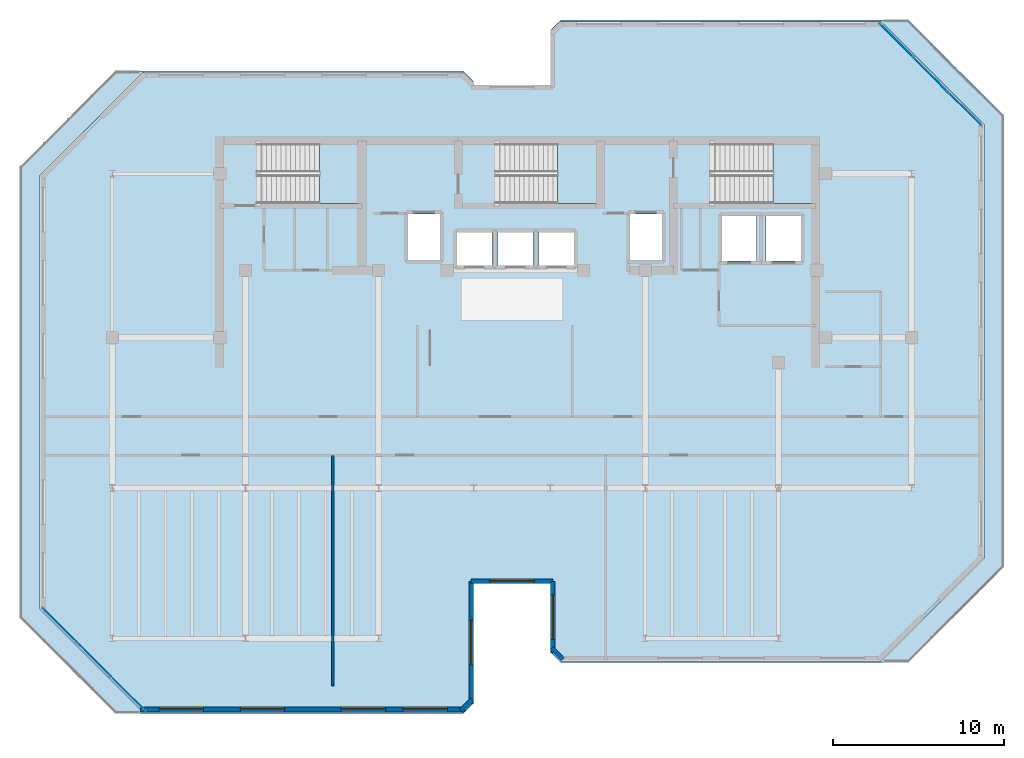
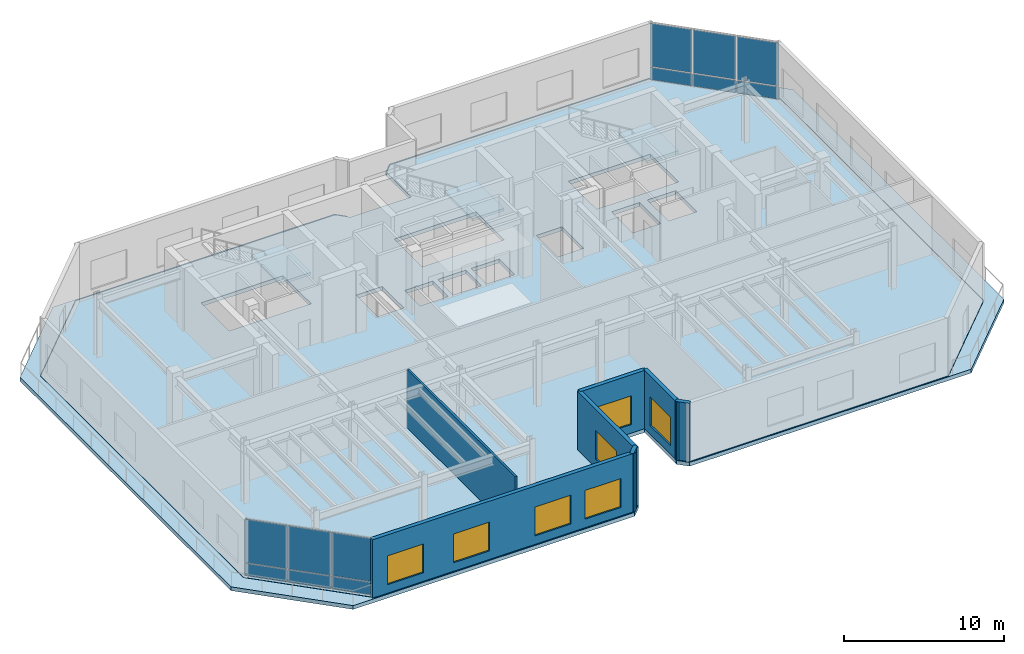
# One storey, part 5 of 12: 12 plates, 7 walls, 7 windows, 6 slabs, 7 openings, 5 elements without a shape of their own.
"""IFC4 building model written with IfcOpenShell, lengths in metres."""

from ifc_helpers import new_model, si_unit, direction, frame, frame_2d, origin, origin_2d, place, context, subcontext, project, spatial, polyline, rectangle, outline, extrude, material, layer, layer_set, type_object, element, fill, aggregate, save


model = new_model("IFC4")

# Units and contexts
model_context = context("Model", 3, precision=1e-05, world=origin(), true_north=direction((0.0, 1.0)))
body_context = subcontext(model_context, "Body", "Model", "MODEL_VIEW")
ifc_project = project(units=[si_unit("LENGTHUNIT", "METRE"), si_unit("AREAUNIT", "SQUARE_METRE"), si_unit("VOLUMEUNIT", "CUBIC_METRE"), si_unit("PLANEANGLEUNIT", "RADIAN"), si_unit("MASSUNIT", "GRAM", prefix="KILO")], contexts=[model_context])

# Site, building, storey
site_placement = place(None, origin())
site = spatial("IfcSite", under=ifc_project, at=site_placement, CompositionType="ELEMENT")
building_placement = place(site_placement, origin())
building = spatial("IfcBuilding", under=site, at=building_placement, Name="Kestravale Grand Hotel", CompositionType="ELEMENT")
storey_placement = place(building_placement, frame((0.0, 0.0, 306.60009765625)))
storey = spatial("IfcBuildingStorey", under=building, at=storey_placement, Name="L76", CompositionType="ELEMENT", Elevation=306.60009765625)

# Curtain wall, plates
ifc_material_1 = material(Name="Thermally broken champagne-bronze aluminium and low-E glazing", Category="aluminium")
ifc_layer_1 = layer(ifc_material_1, 0.239990234375)
ifc_layer_set_1 = layer_set([ifc_layer_1], Name="CW-OBS")
curtain_wall_type = type_object("IfcCurtainWallType", Name="CW-OBS", PredefinedType="NOTDEFINED", material=ifc_layer_set_1)
curtain_wall_1_placement = place(storey_placement, origin())
curtain_wall_1 = element("IfcCurtainWall", 1, at=curtain_wall_1_placement, inside=storey, type_object=curtain_wall_type, Name="L76 unitised curtain wall 10", PredefinedType="NOTDEFINED")
ifc_material_2 = material(Name="Insulated clear low-E double glazing IGU", Category="glass")
ifc_layer_2 = layer(ifc_material_2, 0.0400390625)
ifc_layer_set_2 = layer_set([ifc_layer_2], Name="CW-PNL-40")
plate_type = type_object("IfcPlateType", Name="CW-PNL-40", PredefinedType="CURTAIN_PANEL", material=ifc_layer_set_2)
plate_1_placement = place(storey_placement, frame((65.495361328125, 42.20654296875, 0.074951171875), z_axis=(0.0, 0.0, 1.0), x_axis=(-0.707106781187, 0.707106781187, 0.0)))
plate_1 = element("IfcPlate", 2, at=plate_1_placement, type_object=plate_type, Name="CW-OBS panel 1.1", PredefinedType="CURTAIN_PANEL", context=body_context, shape_type="SweptSolid", body=[
    extrude(rectangle(XDim=2.71435546875, YDim=0.0400390625, at=origin_2d()), origin(), (0.0, 0.0, 1.0), 0.9375),
])
plate_2_placement = place(storey_placement, frame((65.495361328125, 42.20654296875, 1.08740234375), z_axis=(0.0, 0.0, 1.0), x_axis=(-0.707106781187, 0.707106781187, 0.0)))
plate_2 = element("IfcPlate", 3, at=plate_2_placement, type_object=plate_type, Name="CW-OBS panel 1.2", PredefinedType="CURTAIN_PANEL", context=body_context, shape_type="SweptSolid", body=[
    extrude(rectangle(XDim=2.71435546875, YDim=0.0400390625, at=origin_2d()), origin(), (0.0, 0.0, 1.0), 3.28759765625),
])
plate_3_placement = place(storey_placement, frame((63.5009765625, 44.200927734375, 0.074951171875), z_axis=(0.0, 0.0, 1.0), x_axis=(-0.707106781187, 0.707106781187, 0.0)))
plate_3 = element("IfcPlate", 4, at=plate_3_placement, type_object=plate_type, Name="CW-OBS panel 2.1", PredefinedType="CURTAIN_PANEL", context=body_context, shape_type="SweptSolid", body=[
    extrude(rectangle(XDim=2.7568359375, YDim=0.0400390625, at=origin_2d()), origin(), (0.0, 0.0, 1.0), 0.9375),
])
plate_4_placement = place(storey_placement, frame((63.5009765625, 44.200927734375, 1.08740234375), z_axis=(0.0, 0.0, 1.0), x_axis=(-0.707106781187, 0.707106781187, 0.0)))
plate_4 = element("IfcPlate", 5, at=plate_4_placement, type_object=plate_type, Name="CW-OBS panel 2.2", PredefinedType="CURTAIN_PANEL", context=body_context, shape_type="SweptSolid", body=[
    extrude(rectangle(XDim=2.7568359375, YDim=0.0400390625, at=origin_2d()), origin(), (0.0, 0.0, 1.0), 3.28759765625),
])
plate_5_placement = place(storey_placement, frame((61.506591796875, 46.195556640625, 0.074951171875), z_axis=(0.0, 0.0, 1.0), x_axis=(-0.707106781187, 0.707106781187, 0.0)))
plate_5 = element("IfcPlate", 6, at=plate_5_placement, type_object=plate_type, Name="CW-OBS panel 3.1", PredefinedType="CURTAIN_PANEL", context=body_context, shape_type="SweptSolid", body=[
    extrude(rectangle(XDim=2.71435546875, YDim=0.0400390625, at=origin_2d()), origin(), (0.0, 0.0, 1.0), 0.9375),
])
plate_6_placement = place(storey_placement, frame((61.506591796875, 46.195556640625, 1.08740234375), z_axis=(0.0, 0.0, 1.0), x_axis=(-0.707106781187, 0.707106781187, 0.0)))
plate_6 = element("IfcPlate", 7, at=plate_6_placement, type_object=plate_type, Name="CW-OBS panel 3.2", PredefinedType="CURTAIN_PANEL", context=body_context, shape_type="SweptSolid", body=[
    extrude(rectangle(XDim=2.71435546875, YDim=0.0400390625, at=origin_2d()), origin(), (0.0, 0.0, 1.0), 3.28759765625),
])
aggregate(curtain_wall_1, [plate_1, plate_2, plate_3, plate_4, plate_5, plate_6])

curtain_wall_2_placement = place(storey_placement, origin())
curtain_wall_2 = element("IfcCurtainWall", 8, at=curtain_wall_2_placement, inside=storey, type_object=curtain_wall_type, Name="L76 unitised curtain wall 20", PredefinedType="NOTDEFINED")
plate_7_placement = place(storey_placement, frame((12.504638671875, 11.993408203125, 0.074951171875), z_axis=(0.0, 0.0, 1.0), x_axis=(0.707106781187, -0.707106781187, 0.0)))
plate_7 = element("IfcPlate", 9, at=plate_7_placement, type_object=plate_type, Name="CW-OBS panel 1.1", PredefinedType="CURTAIN_PANEL", context=body_context, shape_type="SweptSolid", body=[
    extrude(rectangle(XDim=2.71435546875, YDim=0.0400390625, at=origin_2d()), origin(), (0.0, 0.0, 1.0), 0.9375),
])
plate_8_placement = place(storey_placement, frame((12.504638671875, 11.993408203125, 1.08740234375), z_axis=(0.0, 0.0, 1.0), x_axis=(0.707106781187, -0.707106781187, 0.0)))
plate_8 = element("IfcPlate", 10, at=plate_8_placement, type_object=plate_type, Name="CW-OBS panel 1.2", PredefinedType="CURTAIN_PANEL", context=body_context, shape_type="SweptSolid", body=[
    extrude(rectangle(XDim=2.71435546875, YDim=0.0400390625, at=origin_2d()), origin(), (0.0, 0.0, 1.0), 3.28759765625),
])
plate_9_placement = place(storey_placement, frame((14.4990234375, 9.9990234375, 0.074951171875), z_axis=(0.0, 0.0, 1.0), x_axis=(0.707106781187, -0.707106781187, 0.0)))
plate_9 = element("IfcPlate", 11, at=plate_9_placement, type_object=plate_type, Name="CW-OBS panel 2.1", PredefinedType="CURTAIN_PANEL", context=body_context, shape_type="SweptSolid", body=[
    extrude(rectangle(XDim=2.7568359375, YDim=0.0400390625, at=origin_2d()), origin(), (0.0, 0.0, 1.0), 0.9375),
])
plate_10_placement = place(storey_placement, frame((14.4990234375, 9.9990234375, 1.08740234375), z_axis=(0.0, 0.0, 1.0), x_axis=(0.707106781187, -0.707106781187, 0.0)))
plate_10 = element("IfcPlate", 12, at=plate_10_placement, type_object=plate_type, Name="CW-OBS panel 2.2", PredefinedType="CURTAIN_PANEL", context=body_context, shape_type="SweptSolid", body=[
    extrude(rectangle(XDim=2.7568359375, YDim=0.0400390625, at=origin_2d()), origin(), (0.0, 0.0, 1.0), 3.28759765625),
])
plate_11_placement = place(storey_placement, frame((16.493408203125, 8.004638671875, 0.074951171875), z_axis=(0.0, 0.0, 1.0), x_axis=(0.707106781187, -0.707106781187, 0.0)))
plate_11 = element("IfcPlate", 13, at=plate_11_placement, type_object=plate_type, Name="CW-OBS panel 3.1", PredefinedType="CURTAIN_PANEL", context=body_context, shape_type="SweptSolid", body=[
    extrude(rectangle(XDim=2.71435546875, YDim=0.0400390625, at=origin_2d()), origin(), (0.0, 0.0, 1.0), 0.9375),
])
plate_12_placement = place(storey_placement, frame((16.493408203125, 8.004638671875, 1.08740234375), z_axis=(0.0, 0.0, 1.0), x_axis=(0.707106781187, -0.707106781187, 0.0)))
plate_12 = element("IfcPlate", 14, at=plate_12_placement, type_object=plate_type, Name="CW-OBS panel 3.2", PredefinedType="CURTAIN_PANEL", context=body_context, shape_type="SweptSolid", body=[
    extrude(rectangle(XDim=2.71435546875, YDim=0.0400390625, at=origin_2d()), origin(), (0.0, 0.0, 1.0), 3.28759765625),
])
aggregate(curtain_wall_2, [plate_7, plate_8, plate_9, plate_10, plate_11, plate_12])

# Slabs
ifc_material_3 = material(Name="Concrete f'c 45 MPa", Category="concrete")
ifc_layer_3 = layer(ifc_material_3, 0.2900390625)
ifc_layer_set_3 = layer_set([ifc_layer_3], Name="ES-TERR-290")
slab_type_1 = type_object("IfcSlabType", Name="ES-TERR-290", PredefinedType="ROOF", material=ifc_layer_set_3)
slab_1_placement = place(storey_placement, frame((0.0, 0.0, -0.2900390625)))
element("IfcSlab", 15, at=slab_1_placement, inside=storey, type_object=slab_type_1, Name="L76 setback terrace 1", PredefinedType="ROOF", context=body_context, shape_type="SweptSolid", body=[
    extrude(outline(polyline([(36.75, 7.39990234375), (36.14990234375, 6.800048828125), (15.800048828125, 6.800048828125), (10.199951171875, 12.39990234375), (10.199951171875, 38.800048828125), (15.800048828125, 44.39990234375), (36.14990234375, 44.39990234375), (36.75, 43.800048828125), (36.75, 43.728271484375), (36.1640625, 44.314208984375), (36.16259765625, 44.3154296875), (36.1611328125, 44.316650390625), (36.159423828125, 44.317626953125), (36.15771484375, 44.318603515625), (36.15576171875, 44.319091796875), (36.15380859375, 44.319580078125), (36.152099609375, 44.31982421875), (36.14990234375, 44.320068359375), (17.39990234375, 44.320068359375), (17.39794921875, 44.31982421875), (17.39599609375, 44.319580078125), (17.394287109375, 44.319091796875), (17.392333984375, 44.318603515625), (17.390625, 44.317626953125), (17.388916015625, 44.316650390625), (17.38720703125, 44.3154296875), (17.385986328125, 44.314208984375), (11.385986328125, 38.314208984375), (11.384521484375, 38.312744140625), (11.38330078125, 38.31103515625), (11.38232421875, 38.309326171875), (11.381591796875, 38.3076171875), (11.380859375, 38.305908203125), (11.38037109375, 38.303955078125), (11.380126953125, 38.302001953125), (11.3798828125, 38.300048828125), (11.3798828125, 12.89990234375), (11.380126953125, 12.89794921875), (11.38037109375, 12.89599609375), (11.380859375, 12.894287109375), (11.381591796875, 12.892333984375), (11.38232421875, 12.890625), (11.38330078125, 12.888916015625), (11.384521484375, 12.88720703125), (11.385986328125, 12.885986328125), (17.385986328125, 6.885986328125), (17.38720703125, 6.884521484375), (17.388916015625, 6.88330078125), (17.390625, 6.88232421875), (17.392333984375, 6.881591796875), (17.394287109375, 6.880859375), (17.39599609375, 6.88037109375), (17.39794921875, 6.880126953125), (17.39990234375, 6.8798828125), (36.14990234375, 6.8798828125), (36.152099609375, 6.880126953125), (36.15380859375, 6.88037109375), (36.15576171875, 6.880859375), (36.15771484375, 6.881591796875), (36.159423828125, 6.88232421875), (36.1611328125, 6.88330078125), (36.16259765625, 6.884521484375), (36.1640625, 6.885986328125), (36.75, 7.4716796875), (36.75, 7.39990234375)])), origin(), (0.0, 0.0, 1.0), 0.2900390625),
])
slab_2_placement = place(storey_placement, frame((0.0, 0.0, -0.2900390625)))
element("IfcSlab", 16, at=slab_2_placement, inside=storey, type_object=slab_type_1, Name="L76 setback terrace 2", PredefinedType="ROOF", context=body_context, shape_type="SweptSolid", body=[
    extrude(outline(polyline([(41.25, 46.800048828125), (41.85009765625, 47.39990234375), (62.199951171875, 47.39990234375), (67.800048828125, 41.800048828125), (67.800048828125, 15.39990234375), (62.199951171875, 9.800048828125), (41.85009765625, 9.800048828125), (41.25, 10.39990234375), (41.25, 10.4716796875), (41.8359375, 9.885986328125), (41.83740234375, 9.884521484375), (41.8388671875, 9.88330078125), (41.840576171875, 9.88232421875), (41.84228515625, 9.881591796875), (41.84423828125, 9.880859375), (41.84619140625, 9.88037109375), (41.847900390625, 9.880126953125), (41.85009765625, 9.8798828125), (60.60009765625, 9.8798828125), (60.60205078125, 9.880126953125), (60.60400390625, 9.88037109375), (60.605712890625, 9.880859375), (60.607666015625, 9.881591796875), (60.609375, 9.88232421875), (60.611083984375, 9.88330078125), (60.61279296875, 9.884521484375), (60.614013671875, 9.885986328125), (66.614013671875, 15.885986328125), (66.615478515625, 15.88720703125), (66.61669921875, 15.888916015625), (66.61767578125, 15.890625), (66.618408203125, 15.892333984375), (66.619140625, 15.894287109375), (66.61962890625, 15.89599609375), (66.619873046875, 15.89794921875), (66.6201171875, 15.89990234375), (66.6201171875, 41.300048828125), (66.619873046875, 41.302001953125), (66.61962890625, 41.303955078125), (66.619140625, 41.305908203125), (66.618408203125, 41.3076171875), (66.61767578125, 41.309326171875), (66.61669921875, 41.31103515625), (66.615478515625, 41.312744140625), (66.614013671875, 41.314208984375), (60.614013671875, 47.314208984375), (60.61279296875, 47.3154296875), (60.611083984375, 47.316650390625), (60.609375, 47.317626953125), (60.607666015625, 47.318603515625), (60.605712890625, 47.319091796875), (60.60400390625, 47.319580078125), (60.60205078125, 47.31982421875), (60.60009765625, 47.320068359375), (41.85009765625, 47.320068359375), (41.847900390625, 47.31982421875), (41.84619140625, 47.319580078125), (41.84423828125, 47.319091796875), (41.84228515625, 47.318603515625), (41.840576171875, 47.317626953125), (41.8388671875, 47.316650390625), (41.83740234375, 47.3154296875), (41.8359375, 47.314208984375), (41.25, 46.728271484375), (41.25, 46.800048828125)])), origin(), (0.0, 0.0, 1.0), 0.2900390625),
])

# Stair, slab
ifc_material_4 = material(Name="Concrete f'c 45 MPa", Category="concrete")
stair_type = type_object("IfcStairType", Name="ST-CORE-480", PredefinedType="HALF_TURN_STAIR", material=ifc_material_4)
stair_1_placement = place(storey_placement, origin())
stair_1 = element("IfcStair", 17, at=stair_1_placement, inside=storey, type_object=stair_type, Name="L76 ST-1", PredefinedType="HALF_TURN_STAIR")
ifc_material_5 = material(Name="Concrete f'c 45 MPa", Category="concrete")
ifc_layer_4 = layer(ifc_material_5, 0.199951171875)
ifc_layer_set_4 = layer_set([ifc_layer_4], Name="SLB-ST-LND200")
slab_type_2 = type_object("IfcSlabType", Name="SLB-ST-LND200", PredefinedType="LANDING", material=ifc_layer_set_4)
slab_3_placement = place(storey_placement, frame((0.0, 0.0, 2.199951171875)))
slab_3 = element("IfcSlab", 18, at=slab_3_placement, type_object=slab_type_2, Name="ST-1 landing 1", PredefinedType="LANDING", context=body_context, shape_type="SweptSolid", body=[
    extrude(outline(polyline([(27.719970703125, 36.64990234375), (30.0, 36.64990234375), (30.0, 40.159912109375), (27.719970703125, 40.159912109375), (27.719970703125, 36.64990234375)])), origin(), (0.0, 0.0, 1.0), 0.199951171875),
])
aggregate(stair_1, [slab_3])

stair_2_placement = place(storey_placement, origin())
stair_2 = element("IfcStair", 19, at=stair_2_placement, inside=storey, type_object=stair_type, Name="L76 ST-2", PredefinedType="HALF_TURN_STAIR")
slab_4_placement = place(storey_placement, frame((0.0, 0.0, 2.199951171875)))
slab_4 = element("IfcSlab", 20, at=slab_4_placement, type_object=slab_type_2, Name="ST-2 landing 1", PredefinedType="LANDING", context=body_context, shape_type="SweptSolid", body=[
    extrude(outline(polyline([(41.669921875, 36.64990234375), (43.949951171875, 36.64990234375), (43.949951171875, 40.159912109375), (41.669921875, 40.159912109375), (41.669921875, 36.64990234375)])), origin(), (0.0, 0.0, 1.0), 0.199951171875),
])
aggregate(stair_2, [slab_4])

stair_3_placement = place(storey_placement, origin())
stair_3 = element("IfcStair", 21, at=stair_3_placement, inside=storey, type_object=stair_type, Name="L76 ST-3", PredefinedType="HALF_TURN_STAIR")
slab_5_placement = place(storey_placement, frame((0.0, 0.0, 2.199951171875)))
slab_5 = element("IfcSlab", 22, at=slab_5_placement, type_object=slab_type_2, Name="ST-3 landing 1", PredefinedType="LANDING", context=body_context, shape_type="SweptSolid", body=[
    extrude(outline(polyline([(54.27001953125, 36.64990234375), (56.550048828125, 36.64990234375), (56.550048828125, 40.159912109375), (54.27001953125, 40.159912109375), (54.27001953125, 36.64990234375)])), origin(), (0.0, 0.0, 1.0), 0.199951171875),
])
aggregate(stair_3, [slab_5])

# Slab
ifc_material_6 = material(Name="Concrete f'c 45 MPa", Category="concrete")
ifc_layer_5 = layer(ifc_material_6, 0.2900390625)
ifc_layer_set_5 = layer_set([ifc_layer_5], Name="SS-FLR-290")
slab_type_3 = type_object("IfcSlabType", Name="SS-FLR-290", PredefinedType="FLOOR", material=ifc_layer_set_5)
slab_6_placement = place(storey_placement, frame((0.0, 0.0, -0.2900390625)))
element("IfcSlab", 23, at=slab_6_placement, inside=storey, type_object=slab_type_3, Name="L76 structural floor slab", PredefinedType="FLOOR", context=body_context, shape_type="SweptSolid", body=[
    extrude(outline(polyline([(17.39990234375, 6.89990234375), (36.14990234375, 6.89990234375), (36.75, 7.5), (36.75, 14.39990234375), (41.25, 14.39990234375), (41.25, 10.5), (41.85009765625, 9.89990234375), (60.60009765625, 9.89990234375), (66.60009765625, 15.89990234375), (66.60009765625, 41.300048828125), (60.60009765625, 47.300048828125), (41.85009765625, 47.300048828125), (41.25, 46.699951171875), (41.25, 43.60009765625), (36.75, 43.60009765625), (36.75, 43.699951171875), (36.14990234375, 44.300048828125), (17.39990234375, 44.300048828125), (11.39990234375, 38.300048828125), (11.39990234375, 12.89990234375), (17.39990234375, 6.89990234375)]), holes=[polyline([(24.080078125, 36.64990234375), (30.0, 36.64990234375), (30.0, 40.159912109375), (24.080078125, 40.159912109375), (24.080078125, 36.64990234375)]), polyline([(38.030029296875, 36.64990234375), (43.949951171875, 36.64990234375), (43.949951171875, 40.159912109375), (38.030029296875, 40.159912109375), (38.030029296875, 36.64990234375)]), polyline([(50.6298828125, 36.64990234375), (56.550048828125, 36.64990234375), (56.550048828125, 40.159912109375), (50.6298828125, 40.159912109375), (50.6298828125, 36.64990234375)]), polyline([(35.780029296875, 33.030029296875), (37.820068359375, 33.030029296875), (37.820068359375, 34.969970703125), (35.780029296875, 34.969970703125), (35.780029296875, 33.030029296875)]), polyline([(38.179931640625, 33.030029296875), (40.219970703125, 33.030029296875), (40.219970703125, 34.969970703125), (38.179931640625, 34.969970703125), (38.179931640625, 33.030029296875)]), polyline([(40.580078125, 33.030029296875), (42.6201171875, 33.030029296875), (42.6201171875, 34.969970703125), (40.580078125, 34.969970703125), (40.580078125, 33.030029296875)]), polyline([(32.905029296875, 33.35498046875), (34.794921875, 33.35498046875), (34.794921875, 36.044921875), (32.905029296875, 36.044921875), (32.905029296875, 33.35498046875)]), polyline([(45.905029296875, 33.35498046875), (47.794921875, 33.35498046875), (47.794921875, 36.044921875), (45.905029296875, 36.044921875), (45.905029296875, 33.35498046875)]), polyline([(51.280029296875, 33.280029296875), (53.320068359375, 33.280029296875), (53.320068359375, 35.919921875), (51.280029296875, 35.919921875), (51.280029296875, 33.280029296875)]), polyline([(53.8798828125, 33.280029296875), (55.919921875, 33.280029296875), (55.919921875, 35.919921875), (53.8798828125, 35.919921875), (53.8798828125, 33.280029296875)])]), origin(), (0.0, 0.0, 1.0), 0.2900390625),
])

# Wall, openings, windows
ifc_material_7 = material(Name="Precast concrete f'c 45 MPa", Category="concrete")
ifc_layer_6 = layer(ifc_material_7, 0.280029296875)
ifc_layer_set_6 = layer_set([ifc_layer_6], Name="EW-PREC-280")
wall_type_1 = type_object("IfcWallType", Name="EW-PREC-280", PredefinedType="SOLIDWALL", material=ifc_layer_set_6)
wall_1_placement = place(storey_placement, frame((17.260009765625, 7.0400390625, 0.0), z_axis=(0.0, 0.0, 1.0), x_axis=(1.0, 0.0, 0.0)))
wall_1 = element("IfcWall", 24, at=wall_1_placement, inside=storey, type_object=wall_type_1, Name="L76 fluted precast facade wall 1", PredefinedType="SOLIDWALL", context=body_context, shape_type="SweptSolid", body=[
    extrude(rectangle(XDim=19.030029296875, YDim=0.280029296875, at=frame_2d((9.51513671875, 0.0))), origin(), (0.0, 0.0, 1.0), 4.449951171875),
])
opening_1_placement = place(wall_1_placement, frame((1.07861328125, 0.0, 0.64990234375)))
opening_1 = element("IfcOpeningElement", 25, at=opening_1_placement, cuts=wall_1, Name="Opening W-SKY-2600", PredefinedType="OPENING", context=body_context, shape_type="SweptSolid", body=[
    extrude(rectangle(XDim=2.60009765625, YDim=2.199951171875, at=frame_2d((1.300048828125, 1.10009765625))), frame((0.0, 0.14990234375, 0.0), z_axis=(0.0, -1.0, 0.0), x_axis=(1.0, 0.0, 0.0)), (0.0, 0.0, 1.0), 0.300048828125),
])
opening_2_placement = place(wall_1_placement, frame((5.836181640625, 0.0, 0.64990234375)))
opening_2 = element("IfcOpeningElement", 26, at=opening_2_placement, cuts=wall_1, Name="Opening W-SKY-2600", PredefinedType="OPENING", context=body_context, shape_type="SweptSolid", body=[
    extrude(rectangle(XDim=2.60009765625, YDim=2.199951171875, at=frame_2d((1.300048828125, 1.10009765625))), frame((0.0, 0.14990234375, 0.0), z_axis=(0.0, -1.0, 0.0), x_axis=(1.0, 0.0, 0.0)), (0.0, 0.0, 1.0), 0.300048828125),
])
opening_3_placement = place(wall_1_placement, frame((11.74365234375, 0.0, 0.64990234375)))
opening_3 = element("IfcOpeningElement", 27, at=opening_3_placement, cuts=wall_1, Name="Opening W-SKY-2600", PredefinedType="OPENING", context=body_context, shape_type="SweptSolid", body=[
    extrude(rectangle(XDim=2.60009765625, YDim=2.199951171875, at=frame_2d((1.300048828125, 1.10009765625))), frame((0.0, 0.14990234375, 0.0), z_axis=(0.0, -1.0, 0.0), x_axis=(1.0, 0.0, 0.0)), (0.0, 0.0, 1.0), 0.300048828125),
])
opening_4_placement = place(wall_1_placement, frame((15.351318359375, 0.0, 0.64990234375)))
opening_4 = element("IfcOpeningElement", 28, at=opening_4_placement, cuts=wall_1, Name="Opening W-SKY-2600", PredefinedType="OPENING", context=body_context, shape_type="SweptSolid", body=[
    extrude(rectangle(XDim=2.60009765625, YDim=2.199951171875, at=frame_2d((1.300048828125, 1.10009765625))), frame((0.0, 0.14990234375, 0.0), z_axis=(0.0, -1.0, 0.0), x_axis=(1.0, 0.0, 0.0)), (0.0, 0.0, 1.0), 0.300048828125),
])
ifc_material_8 = material(Name="Insulated low-E double glazing in aluminium frame", Category="aluminium")
window_type = type_object("IfcWindowType", Name="W-SKY-2600", PartitioningType="TRIPLE_PANEL_VERTICAL", PredefinedType="WINDOW", material=ifc_material_8)
window_1_placement = place(opening_1_placement, origin())
window_1 = element("IfcWindow", 29, at=window_1_placement, inside=storey, type_object=window_type, Name="L76 exterior window 1.1", OverallHeight=2.199951171875, OverallWidth=2.60009765625, PartitioningType="SINGLE_PANEL", PredefinedType="WINDOW", context=body_context, shape_type="SweptSolid", body=[
    extrude(rectangle(XDim=2.60009765625, YDim=2.199951171875, at=frame_2d((1.300048828125, 1.10009765625))), frame((0.0, 0.030029296875, 0.0), z_axis=(0.0, -1.0, 0.0), x_axis=(1.0, 0.0, 0.0)), (0.0, 0.0, 1.0), 0.06005859375),
])
fill(opening_1, window_1)
window_2_placement = place(opening_2_placement, origin())
window_2 = element("IfcWindow", 30, at=window_2_placement, inside=storey, type_object=window_type, Name="L76 exterior window 1.2", OverallHeight=2.199951171875, OverallWidth=2.60009765625, PartitioningType="SINGLE_PANEL", PredefinedType="WINDOW", context=body_context, shape_type="SweptSolid", body=[
    extrude(rectangle(XDim=2.60009765625, YDim=2.199951171875, at=frame_2d((1.300048828125, 1.10009765625))), frame((0.0, 0.030029296875, 0.0), z_axis=(0.0, -1.0, 0.0), x_axis=(1.0, 0.0, 0.0)), (0.0, 0.0, 1.0), 0.06005859375),
])
fill(opening_2, window_2)
window_3_placement = place(opening_3_placement, origin())
window_3 = element("IfcWindow", 31, at=window_3_placement, inside=storey, type_object=window_type, Name="L76 exterior window 1.3", OverallHeight=2.199951171875, OverallWidth=2.60009765625, PartitioningType="SINGLE_PANEL", PredefinedType="WINDOW", context=body_context, shape_type="SweptSolid", body=[
    extrude(rectangle(XDim=2.60009765625, YDim=2.199951171875, at=frame_2d((1.300048828125, 1.10009765625))), frame((0.0, 0.030029296875, 0.0), z_axis=(0.0, -1.0, 0.0), x_axis=(1.0, 0.0, 0.0)), (0.0, 0.0, 1.0), 0.06005859375),
])
fill(opening_3, window_3)
window_4_placement = place(opening_4_placement, origin())
window_4 = element("IfcWindow", 32, at=window_4_placement, inside=storey, type_object=window_type, Name="L76 exterior window 1.4", OverallHeight=2.199951171875, OverallWidth=2.60009765625, PartitioningType="SINGLE_PANEL", PredefinedType="WINDOW", context=body_context, shape_type="SweptSolid", body=[
    extrude(rectangle(XDim=2.60009765625, YDim=2.199951171875, at=frame_2d((1.300048828125, 1.10009765625))), frame((0.0, 0.030029296875, 0.0), z_axis=(0.0, -1.0, 0.0), x_axis=(1.0, 0.0, 0.0)), (0.0, 0.0, 1.0), 0.06005859375),
])
fill(opening_4, window_4)

# Wall
wall_2_placement = place(storey_placement, frame((36.022705078125, 6.970703125, 0.0), z_axis=(0.0, 0.0, 1.0), x_axis=(0.707106781187, 0.707106781187, 0.0)))
element("IfcWall", 33, at=wall_2_placement, inside=storey, type_object=wall_type_1, Name="L76 fluted precast facade wall 2", PredefinedType="SOLIDWALL", context=body_context, shape_type="SweptSolid", body=[
    extrude(rectangle(XDim=0.928466796875, YDim=0.280029296875, at=frame_2d((0.46435546875, 0.0))), origin(), (0.0, 0.0, 1.0), 4.449951171875),
])

# Wall, opening, window
wall_3_placement = place(storey_placement, frame((36.610107421875, 7.360107421875, 0.0), z_axis=(0.0, 0.0, 1.0), x_axis=(0.0, 1.0, 0.0)))
wall_3 = element("IfcWall", 34, at=wall_3_placement, inside=storey, type_object=wall_type_1, Name="L76 fluted precast facade wall 3", PredefinedType="SOLIDWALL", context=body_context, shape_type="SweptSolid", body=[
    extrude(rectangle(XDim=7.179931640625, YDim=0.280029296875, at=frame_2d((3.58984375, 0.0))), origin(), (0.0, 0.0, 1.0), 4.449951171875),
])
opening_5_placement = place(wall_3_placement, frame((2.2900390625, 0.0, 0.64990234375)))
opening_5 = element("IfcOpeningElement", 35, at=opening_5_placement, cuts=wall_3, Name="Opening W-SKY-2600", PredefinedType="OPENING", context=body_context, shape_type="SweptSolid", body=[
    extrude(rectangle(XDim=2.60009765625, YDim=2.199951171875, at=frame_2d((1.300048828125, 1.10009765625))), frame((0.0, 0.14990234375, 0.0), z_axis=(0.0, -1.0, 0.0), x_axis=(1.0, 0.0, 0.0)), (0.0, 0.0, 1.0), 0.300048828125),
])
window_5_placement = place(opening_5_placement, origin())
window_5 = element("IfcWindow", 36, at=window_5_placement, inside=storey, type_object=window_type, Name="L76 exterior window 3.1", OverallHeight=2.199951171875, OverallWidth=2.60009765625, PartitioningType="SINGLE_PANEL", PredefinedType="WINDOW", context=body_context, shape_type="SweptSolid", body=[
    extrude(rectangle(XDim=2.60009765625, YDim=2.199951171875, at=frame_2d((1.300048828125, 1.10009765625))), frame((0.0, 0.030029296875, 0.0), z_axis=(0.0, -1.0, 0.0), x_axis=(1.0, 0.0, 0.0)), (0.0, 0.0, 1.0), 0.06005859375),
])
fill(opening_5, window_5)

wall_4_placement = place(storey_placement, frame((36.610107421875, 14.5400390625, 0.0), z_axis=(0.0, 0.0, 1.0), x_axis=(1.0, 0.0, 0.0)))
wall_4 = element("IfcWall", 37, at=wall_4_placement, inside=storey, type_object=wall_type_1, Name="L76 fluted precast facade wall 4", PredefinedType="SOLIDWALL", context=body_context, shape_type="SweptSolid", body=[
    extrude(rectangle(XDim=4.77978515625, YDim=0.280029296875, at=frame_2d((2.389892578125, 0.0))), origin(), (0.0, 0.0, 1.0), 4.449951171875),
])
opening_6_placement = place(wall_4_placement, frame((1.090087890625, 0.0, 0.64990234375)))
opening_6 = element("IfcOpeningElement", 38, at=opening_6_placement, cuts=wall_4, Name="Opening W-SKY-2600", PredefinedType="OPENING", context=body_context, shape_type="SweptSolid", body=[
    extrude(rectangle(XDim=2.60009765625, YDim=2.199951171875, at=frame_2d((1.300048828125, 1.10009765625))), frame((0.0, 0.14990234375, 0.0), z_axis=(0.0, -1.0, 0.0), x_axis=(1.0, 0.0, 0.0)), (0.0, 0.0, 1.0), 0.300048828125),
])
window_6_placement = place(opening_6_placement, origin())
window_6 = element("IfcWindow", 39, at=window_6_placement, inside=storey, type_object=window_type, Name="L76 exterior window 4.1", OverallHeight=2.199951171875, OverallWidth=2.60009765625, PartitioningType="SINGLE_PANEL", PredefinedType="WINDOW", context=body_context, shape_type="SweptSolid", body=[
    extrude(rectangle(XDim=2.60009765625, YDim=2.199951171875, at=frame_2d((1.300048828125, 1.10009765625))), frame((0.0, 0.030029296875, 0.0), z_axis=(0.0, -1.0, 0.0), x_axis=(1.0, 0.0, 0.0)), (0.0, 0.0, 1.0), 0.06005859375),
])
fill(opening_6, window_6)

wall_5_placement = place(storey_placement, frame((41.389892578125, 14.5400390625, 0.0), z_axis=(0.0, 0.0, 1.0), x_axis=(0.0, -1.0, 0.0)))
wall_5 = element("IfcWall", 40, at=wall_5_placement, inside=storey, type_object=wall_type_1, Name="L76 fluted precast facade wall 5", PredefinedType="SOLIDWALL", context=body_context, shape_type="SweptSolid", body=[
    extrude(rectangle(XDim=4.179931640625, YDim=0.280029296875, at=frame_2d((2.08984375, 0.0))), origin(), (0.0, 0.0, 1.0), 4.449951171875),
])
opening_7_placement = place(wall_5_placement, frame((0.7900390625, 0.0, 0.64990234375)))
opening_7 = element("IfcOpeningElement", 41, at=opening_7_placement, cuts=wall_5, Name="Opening W-SKY-2600", PredefinedType="OPENING", context=body_context, shape_type="SweptSolid", body=[
    extrude(rectangle(XDim=2.60009765625, YDim=2.199951171875, at=frame_2d((1.300048828125, 1.10009765625))), frame((0.0, 0.14990234375, 0.0), z_axis=(0.0, -1.0, 0.0), x_axis=(1.0, 0.0, 0.0)), (0.0, 0.0, 1.0), 0.300048828125),
])
window_7_placement = place(opening_7_placement, origin())
window_7 = element("IfcWindow", 42, at=window_7_placement, inside=storey, type_object=window_type, Name="L76 exterior window 5.1", OverallHeight=2.199951171875, OverallWidth=2.60009765625, PartitioningType="SINGLE_PANEL", PredefinedType="WINDOW", context=body_context, shape_type="SweptSolid", body=[
    extrude(rectangle(XDim=2.60009765625, YDim=2.199951171875, at=frame_2d((1.300048828125, 1.10009765625))), frame((0.0, 0.030029296875, 0.0), z_axis=(0.0, -1.0, 0.0), x_axis=(1.0, 0.0, 0.0)), (0.0, 0.0, 1.0), 0.06005859375),
])
fill(opening_7, window_7)

# Walls
wall_6_placement = place(storey_placement, frame((41.32080078125, 10.627197265625, 0.0), z_axis=(0.0, 0.0, 1.0), x_axis=(0.707106781187, -0.707106781187, 0.0)))
element("IfcWall", 43, at=wall_6_placement, inside=storey, type_object=wall_type_1, Name="L76 fluted precast facade wall 6", PredefinedType="SOLIDWALL", context=body_context, shape_type="SweptSolid", body=[
    extrude(rectangle(XDim=0.928466796875, YDim=0.280029296875, at=frame_2d((0.46435546875, 0.0))), origin(), (0.0, 0.0, 1.0), 4.449951171875),
])
ifc_material_9 = material(Name="Double-stud STC 52 acoustic demising partition", Category="other")
ifc_layer_7 = layer(ifc_material_9, 0.14990234375)
ifc_layer_set_7 = layer_set([ifc_layer_7], Name="IW-UNIT-150")
wall_type_2 = type_object("IfcWallType", Name="IW-UNIT-150", PredefinedType="PARTITIONING", material=ifc_layer_set_7)
wall_7_placement = place(storey_placement, frame((28.5, 8.39990234375, 0.0), z_axis=(0.0, 0.0, 1.0), x_axis=(0.0, 1.0, 0.0)))
element("IfcWall", 44, at=wall_7_placement, inside=storey, type_object=wall_type_2, Name="W-L76-SD-1", PredefinedType="PARTITIONING", context=body_context, shape_type="SweptSolid", body=[
    extrude(rectangle(XDim=13.52001953125, YDim=0.14990234375, at=frame_2d((6.760009765625, 0.0))), origin(), (0.0, 0.0, 1.0), 4.449951171875),
])

save(model, "model.ifc")
